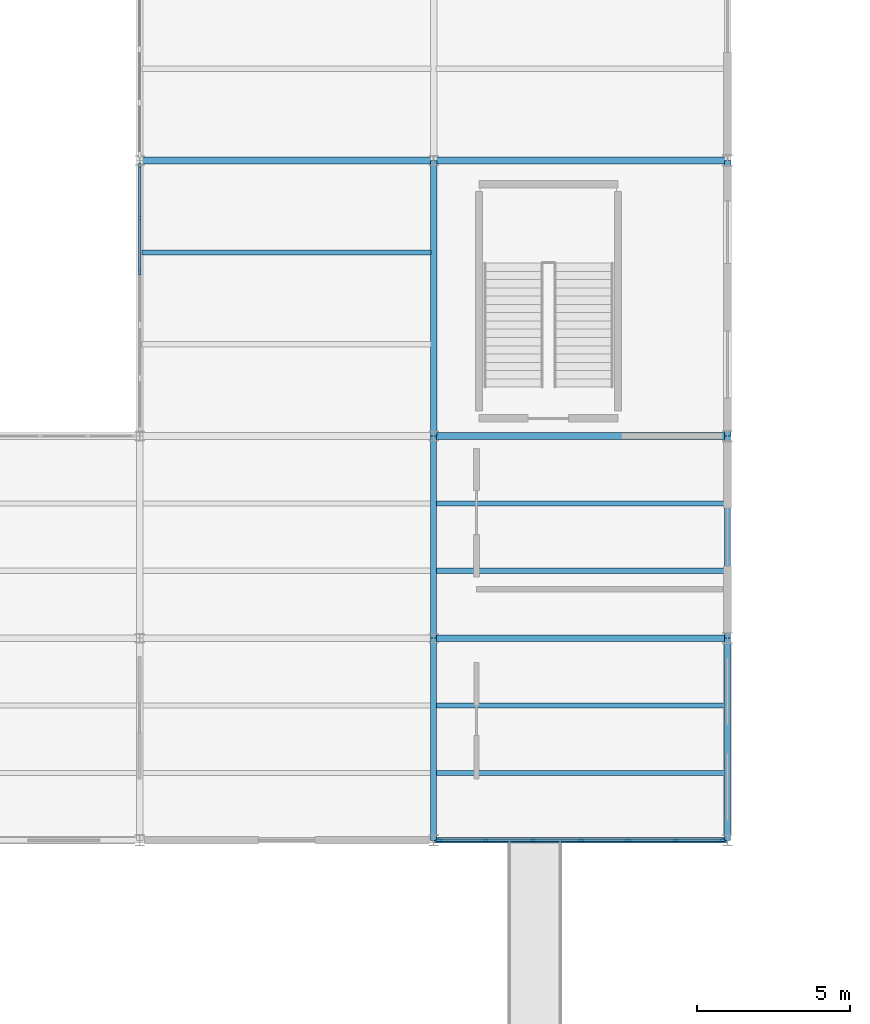
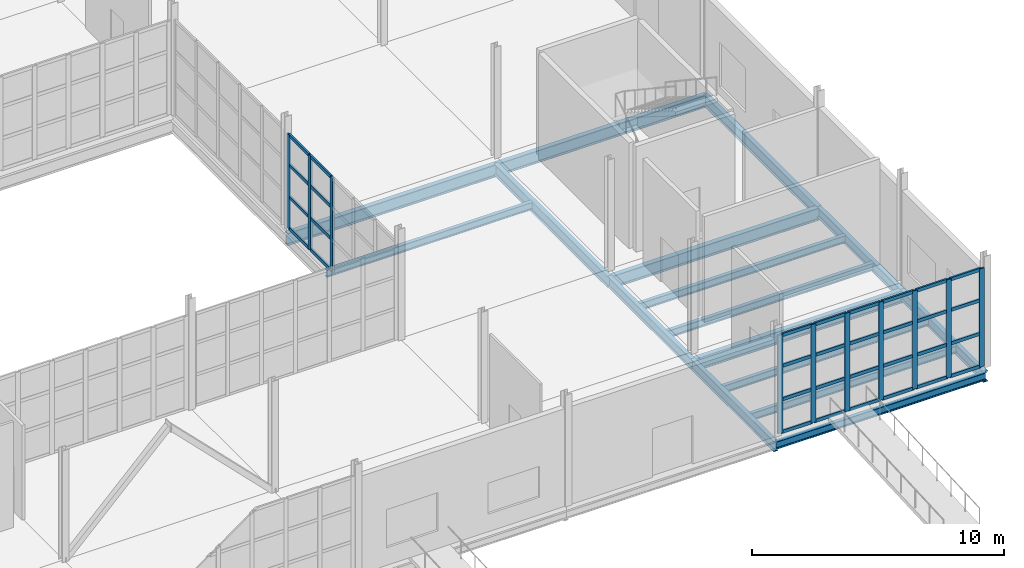
# One storey, part 37 of 85: 42 members, 16 beams, 2 elements without a shape of their own.
"""IFC4 building model written with IfcOpenShell, lengths in metres."""

from ifc_helpers import new_model, si_unit, direction, frame, origin, origin_2d, place, context, subcontext, project, spatial, rectangle, i_section, extrude, material, layer, layer_set, material_profile, profile_set, type_object, element, aggregate, save


model = new_model("IFC4")

# Units and contexts
model_context = context("Model", 3, precision=1e-05, world=origin(), true_north=direction((0.0, 1.0)))
body_context = subcontext(model_context, "Body", "Model", "MODEL_VIEW")
ifc_project = project(units=[si_unit("LENGTHUNIT", "METRE"), si_unit("AREAUNIT", "SQUARE_METRE"), si_unit("VOLUMEUNIT", "CUBIC_METRE"), si_unit("PLANEANGLEUNIT", "RADIAN"), si_unit("MASSUNIT", "GRAM", prefix="KILO")], contexts=[model_context])

# Site, building, storey
site_placement = place(None, origin())
site = spatial("IfcSite", under=ifc_project, at=site_placement, CompositionType="ELEMENT")
building_placement = place(site_placement, origin())
building = spatial("IfcBuilding", under=site, at=building_placement, Name="Zarnetskaya Central Station", CompositionType="ELEMENT")
storey_placement = place(building_placement, origin())
storey = spatial("IfcBuildingStorey", under=building, at=storey_placement, Name="L00", CompositionType="ELEMENT", Elevation=0.0)

# Beams
ifc_material_1 = material(Name="Steel S355", Category="steel")
ifc_material_profile_1 = material_profile(ifc_material_1, i_section(OverallWidth=0.169921875, OverallDepth=0.360107421875, WebThickness=0.008056640625, FlangeThickness=0.0126953125, FilletRadius=0.01806640625, at=origin_2d()), Name="IPE 360")
ifc_profile_set_1 = profile_set([ifc_material_profile_1], Name="Steel S355")
beam_type_1 = type_object("IfcBeamType", Name="BM-SEC-360", PredefinedType="BEAM", material=ifc_profile_set_1)
beam_1_placement = place(storey_placement, frame((153.679931640625, 19.199951171875, -0.5), z_axis=(1.0, 0.0, 0.0), x_axis=(0.0, 1.0, 0.0)))
element("IfcBeam", 1, at=beam_1_placement, inside=storey, type_object=beam_type_1, Name="Secondary floor beam SEC-L00-Z32-ST-34-2", PredefinedType="BEAM", context=body_context, shape_type="SweptSolid", body=[
    extrude(i_section(OverallWidth=0.169921875, OverallDepth=0.360107421875, WebThickness=0.008056640625, FlangeThickness=0.0126953125, FilletRadius=0.01806640625, at=origin_2d()), origin(), (0.0, 0.0, 1.0), 9.440185546875),
])
for number, where, z_axis, x_axis, name in (
    (2, (163.280029296875, 2.199951171875, -0.5), (1.0, 0.0, 0.0), (0.0, 1.0, 0.0), "Secondary floor beam SEC-L00-Z32-TU-12-1"),
    (3, (163.280029296875, 4.39990234375, -0.5), (1.0, 0.0, 0.0), (0.0, 1.0, 0.0), "Secondary floor beam SEC-L00-Z32-TU-12-2"),
    (4, (163.280029296875, 8.800048828125, -0.5), (1.0, 0.0, 0.0), (0.0, 1.0, 0.0), "Secondary floor beam SEC-L00-Z32-TU-23-1"),
    (5, (163.280029296875, 11.0, -0.5), (1.0, 0.0, 0.0), (0.0, 1.0, 0.0), "Secondary floor beam SEC-L00-Z32-TU-23-2"),
):
    element("IfcBeam", number, at=place(storey_placement, frame(where, z_axis=z_axis, x_axis=x_axis)), inside=storey, type_object=beam_type_1, Name=name, PredefinedType="BEAM", context=body_context, shape_type="SweptSolid", body=[
        extrude(i_section(OverallWidth=0.169921875, OverallDepth=0.360107421875, WebThickness=0.008056640625, FlangeThickness=0.0126953125, FilletRadius=0.01806640625, at=origin_2d()), origin(), (0.0, 0.0, 1.0), 9.43994140625),
    ])
ifc_material_profile_2 = material_profile(ifc_material_1, i_section(OverallWidth=0.169921875, OverallDepth=0.360107421875, WebThickness=0.008056640625, FlangeThickness=0.0126953125, FilletRadius=0.01806640625, at=origin_2d()), Name="IPE 360")
ifc_profile_set_2 = profile_set([ifc_material_profile_2], Name="Steel S355")
beam_type_2 = type_object("IfcBeamType", Name="BM-SPN-V4", PredefinedType="SPANDREL", material=ifc_profile_set_2)
beam_2_placement = place(storey_placement, frame((163.199951171875, 0.0, -0.5), z_axis=(1.0, 0.0, 0.0), x_axis=(0.0, 1.0, 0.0)))
element("IfcBeam", 6, at=beam_2_placement, inside=storey, type_object=beam_type_2, Name="Grid girder GX-L00-1-TU", PredefinedType="SPANDREL", context=body_context, shape_type="SweptSolid", body=[
    extrude(i_section(OverallWidth=0.169921875, OverallDepth=0.360107421875, WebThickness=0.008056640625, FlangeThickness=0.0126953125, FilletRadius=0.01806640625, at=origin_2d()), origin(), (0.0, 0.0, 1.0), 9.60009765625),
])

# Curtain wall, members
ifc_material_2 = material(Name="Low-E insulated glass", Category="glass")
ifc_layer = layer(ifc_material_2, 0.172119140625, Name="Low-E insulated glass", Category="glass")
ifc_layer_set = layer_set([ifc_layer], Name="Low-E insulated glass")
curtain_wall_type = type_object("IfcCurtainWallType", Name="CW-SYS-04", PredefinedType="USERDEFINED", material=ifc_layer_set)
curtain_wall_1_placement = place(storey_placement, origin())
curtain_wall_1 = element("IfcCurtainWall", 7, at=curtain_wall_1_placement, inside=storey, type_object=curtain_wall_type, Name="Curtain wall CW-L00-100", ObjectType="CURTAIN WALL", PredefinedType="USERDEFINED")
ifc_material_3 = material(Name="Anodised aluminium", Category="aluminium")
ifc_material_profile_3 = material_profile(ifc_material_3, rectangle(XDim=0.080078125, YDim=0.219970703125, at=origin_2d()), Name="ALU MULL 80x220")
ifc_profile_set_3 = profile_set([ifc_material_profile_3], Name="Anodised aluminium")
member_type_1 = type_object("IfcMemberType", Name="CW-MULL-220", PredefinedType="MULLION", material=ifc_profile_set_3)
member_1_placement = place(storey_placement, frame((172.610107421875, 0.0, 0.0), z_axis=(0.0, 0.0, 1.0), x_axis=(0.0, -1.0, 0.0)))
member_1 = element("IfcMember", 8, at=member_1_placement, type_object=member_type_1, Name="CW-15 mullion 1", PredefinedType="MULLION", context=body_context, shape_type="SweptSolid", body=[
    extrude(rectangle(XDim=0.080078125, YDim=0.219970703125, at=origin_2d()), origin(), (0.0, 0.0, 1.0), 4.760009765625),
])
member_2_placement = place(storey_placement, frame((171.10009765625, 0.0, 0.0), z_axis=(0.0, 0.0, 1.0), x_axis=(0.0, -1.0, 0.0)))
member_2 = element("IfcMember", 9, at=member_2_placement, type_object=member_type_1, Name="CW-15 mullion 2", PredefinedType="MULLION", context=body_context, shape_type="SweptSolid", body=[
    extrude(rectangle(XDim=0.080078125, YDim=0.219970703125, at=origin_2d()), origin(), (0.0, 0.0, 1.0), 4.760009765625),
])
member_3_placement = place(storey_placement, frame((169.550048828125, 0.0, 0.0), z_axis=(0.0, 0.0, 1.0), x_axis=(0.0, -1.0, 0.0)))
member_3 = element("IfcMember", 10, at=member_3_placement, type_object=member_type_1, Name="CW-15 mullion 3", PredefinedType="MULLION", context=body_context, shape_type="SweptSolid", body=[
    extrude(rectangle(XDim=0.080078125, YDim=0.219970703125, at=origin_2d()), origin(), (0.0, 0.0, 1.0), 4.760009765625),
])
member_4_placement = place(storey_placement, frame((168.0, 0.0, 0.0), z_axis=(0.0, 0.0, 1.0), x_axis=(0.0, -1.0, 0.0)))
member_4 = element("IfcMember", 11, at=member_4_placement, type_object=member_type_1, Name="CW-15 mullion 4", PredefinedType="MULLION", context=body_context, shape_type="SweptSolid", body=[
    extrude(rectangle(XDim=0.080078125, YDim=0.219970703125, at=origin_2d()), origin(), (0.0, 0.0, 1.0), 4.760009765625),
])
member_5_placement = place(storey_placement, frame((166.449951171875, 0.0, 0.0), z_axis=(0.0, 0.0, 1.0), x_axis=(0.0, -1.0, 0.0)))
member_5 = element("IfcMember", 12, at=member_5_placement, type_object=member_type_1, Name="CW-15 mullion 5", PredefinedType="MULLION", context=body_context, shape_type="SweptSolid", body=[
    extrude(rectangle(XDim=0.080078125, YDim=0.219970703125, at=origin_2d()), origin(), (0.0, 0.0, 1.0), 4.760009765625),
])
member_6_placement = place(storey_placement, frame((164.89990234375, 0.0, 0.0), z_axis=(0.0, 0.0, 1.0), x_axis=(0.0, -1.0, 0.0)))
member_6 = element("IfcMember", 13, at=member_6_placement, type_object=member_type_1, Name="CW-15 mullion 6", PredefinedType="MULLION", context=body_context, shape_type="SweptSolid", body=[
    extrude(rectangle(XDim=0.080078125, YDim=0.219970703125, at=origin_2d()), origin(), (0.0, 0.0, 1.0), 4.760009765625),
])
member_7_placement = place(storey_placement, frame((163.389892578125, 0.0, 0.0), z_axis=(0.0, 0.0, 1.0), x_axis=(0.0, -1.0, 0.0)))
member_7 = element("IfcMember", 14, at=member_7_placement, type_object=member_type_1, Name="CW-15 mullion 7", PredefinedType="MULLION", context=body_context, shape_type="SweptSolid", body=[
    extrude(rectangle(XDim=0.080078125, YDim=0.219970703125, at=origin_2d()), origin(), (0.0, 0.0, 1.0), 4.760009765625),
])

curtain_wall_2_placement = place(storey_placement, origin())
curtain_wall_2 = element("IfcCurtainWall", 15, at=curtain_wall_2_placement, inside=storey, type_object=curtain_wall_type, Name="Curtain wall CW-L00-104", ObjectType="CURTAIN WALL", PredefinedType="USERDEFINED")
member_8_placement = place(storey_placement, frame((153.60009765625, 18.570068359375, 0.0), z_axis=(0.0, 0.0, 1.0), x_axis=(-1.0, 0.0, 0.0)))
member_8 = element("IfcMember", 16, at=member_8_placement, type_object=member_type_1, Name="CW-15 mullion 4", PredefinedType="MULLION", context=body_context, shape_type="SweptSolid", body=[
    extrude(rectangle(XDim=0.080078125, YDim=0.219970703125, at=origin_2d()), origin(), (0.0, 0.0, 1.0), 4.570068359375),
])
member_9_placement = place(storey_placement, frame((153.60009765625, 20.31005859375, 0.0), z_axis=(0.0, 0.0, 1.0), x_axis=(-1.0, 0.0, 0.0)))
member_9 = element("IfcMember", 17, at=member_9_placement, type_object=member_type_1, Name="CW-15 mullion 5", PredefinedType="MULLION", context=body_context, shape_type="SweptSolid", body=[
    extrude(rectangle(XDim=0.080078125, YDim=0.219970703125, at=origin_2d()), origin(), (0.0, 0.0, 1.0), 4.570068359375),
])
member_10_placement = place(storey_placement, frame((153.60009765625, 22.010009765625, 0.0), z_axis=(0.0, 0.0, 1.0), x_axis=(-1.0, 0.0, 0.0)))
member_10 = element("IfcMember", 18, at=member_10_placement, type_object=member_type_1, Name="CW-15 mullion 6", PredefinedType="MULLION", context=body_context, shape_type="SweptSolid", body=[
    extrude(rectangle(XDim=0.080078125, YDim=0.219970703125, at=origin_2d()), origin(), (0.0, 0.0, 1.0), 4.570068359375),
])

# Member
ifc_material_profile_4 = material_profile(ifc_material_3, rectangle(XDim=0.080078125, YDim=0.159912109375, at=origin_2d()), Name="ALU TRAN 80x160")
ifc_profile_set_4 = profile_set([ifc_material_profile_4], Name="Anodised aluminium")
member_type_2 = type_object("IfcMemberType", Name="CW-TRAN-160", PredefinedType="USERDEFINED", material=ifc_profile_set_4)
member_11_placement = place(storey_placement, frame((172.570068359375, 0.0, 0.0400390625), z_axis=(-1.0, 0.0, 0.0), x_axis=(0.0, -1.0, 0.0)))
member_11 = element("IfcMember", 19, at=member_11_placement, type_object=member_type_2, Name="CW-15 transom 1.1", ObjectType="TRANSOM", PredefinedType="USERDEFINED", context=body_context, shape_type="SweptSolid", body=[
    extrude(rectangle(XDim=0.080078125, YDim=0.159912109375, at=origin_2d()), origin(), (0.0, 0.0, 1.0), 1.43017578125),
])

member_12_placement = place(storey_placement, frame((172.570068359375, 0.0, 1.617919921875), z_axis=(-1.0, 0.0, 0.0), x_axis=(0.0, -1.0, 0.0)))
member_12 = element("IfcMember", 20, at=member_12_placement, type_object=member_type_2, Name="CW-15 transom 1.2", ObjectType="TRANSOM", PredefinedType="USERDEFINED", context=body_context, shape_type="SweptSolid", body=[
    extrude(rectangle(XDim=0.080078125, YDim=0.159912109375, at=origin_2d()), origin(), (0.0, 0.0, 1.0), 1.43017578125),
])

member_13_placement = place(storey_placement, frame((172.570068359375, 0.0, 3.237060546875), z_axis=(-1.0, 0.0, 0.0), x_axis=(0.0, -1.0, 0.0)))
member_13 = element("IfcMember", 21, at=member_13_placement, type_object=member_type_2, Name="CW-15 transom 1.3", ObjectType="TRANSOM", PredefinedType="USERDEFINED", context=body_context, shape_type="SweptSolid", body=[
    extrude(rectangle(XDim=0.080078125, YDim=0.159912109375, at=origin_2d()), origin(), (0.0, 0.0, 1.0), 1.43017578125),
])

member_14_placement = place(storey_placement, frame((172.570068359375, 0.0, 4.719970703125), z_axis=(-1.0, 0.0, 0.0), x_axis=(0.0, -1.0, 0.0)))
member_14 = element("IfcMember", 22, at=member_14_placement, type_object=member_type_2, Name="CW-15 transom 1.4", ObjectType="TRANSOM", PredefinedType="USERDEFINED", context=body_context, shape_type="SweptSolid", body=[
    extrude(rectangle(XDim=0.080078125, YDim=0.159912109375, at=origin_2d()), origin(), (0.0, 0.0, 1.0), 1.43017578125),
])

member_15_placement = place(storey_placement, frame((171.06005859375, 0.0, 0.0400390625), z_axis=(-1.0, 0.0, 0.0), x_axis=(0.0, -1.0, 0.0)))
member_15 = element("IfcMember", 23, at=member_15_placement, type_object=member_type_2, Name="CW-15 transom 2.1", ObjectType="TRANSOM", PredefinedType="USERDEFINED", context=body_context, shape_type="SweptSolid", body=[
    extrude(rectangle(XDim=0.080078125, YDim=0.159912109375, at=origin_2d()), origin(), (0.0, 0.0, 1.0), 1.469970703125),
])

member_16_placement = place(storey_placement, frame((171.06005859375, 0.0, 1.617919921875), z_axis=(-1.0, 0.0, 0.0), x_axis=(0.0, -1.0, 0.0)))
member_16 = element("IfcMember", 24, at=member_16_placement, type_object=member_type_2, Name="CW-15 transom 2.2", ObjectType="TRANSOM", PredefinedType="USERDEFINED", context=body_context, shape_type="SweptSolid", body=[
    extrude(rectangle(XDim=0.080078125, YDim=0.159912109375, at=origin_2d()), origin(), (0.0, 0.0, 1.0), 1.469970703125),
])

member_17_placement = place(storey_placement, frame((171.06005859375, 0.0, 3.237060546875), z_axis=(-1.0, 0.0, 0.0), x_axis=(0.0, -1.0, 0.0)))
member_17 = element("IfcMember", 25, at=member_17_placement, type_object=member_type_2, Name="CW-15 transom 2.3", ObjectType="TRANSOM", PredefinedType="USERDEFINED", context=body_context, shape_type="SweptSolid", body=[
    extrude(rectangle(XDim=0.080078125, YDim=0.159912109375, at=origin_2d()), origin(), (0.0, 0.0, 1.0), 1.469970703125),
])

member_18_placement = place(storey_placement, frame((171.06005859375, 0.0, 4.719970703125), z_axis=(-1.0, 0.0, 0.0), x_axis=(0.0, -1.0, 0.0)))
member_18 = element("IfcMember", 26, at=member_18_placement, type_object=member_type_2, Name="CW-15 transom 2.4", ObjectType="TRANSOM", PredefinedType="USERDEFINED", context=body_context, shape_type="SweptSolid", body=[
    extrude(rectangle(XDim=0.080078125, YDim=0.159912109375, at=origin_2d()), origin(), (0.0, 0.0, 1.0), 1.469970703125),
])

member_19_placement = place(storey_placement, frame((169.510009765625, 0.0, 0.0400390625), z_axis=(-1.0, 0.0, 0.0), x_axis=(0.0, -1.0, 0.0)))
member_19 = element("IfcMember", 27, at=member_19_placement, type_object=member_type_2, Name="CW-15 transom 3.1", ObjectType="TRANSOM", PredefinedType="USERDEFINED", context=body_context, shape_type="SweptSolid", body=[
    extrude(rectangle(XDim=0.080078125, YDim=0.159912109375, at=origin_2d()), origin(), (0.0, 0.0, 1.0), 1.469970703125),
])

member_20_placement = place(storey_placement, frame((169.510009765625, 0.0, 1.617919921875), z_axis=(-1.0, 0.0, 0.0), x_axis=(0.0, -1.0, 0.0)))
member_20 = element("IfcMember", 28, at=member_20_placement, type_object=member_type_2, Name="CW-15 transom 3.2", ObjectType="TRANSOM", PredefinedType="USERDEFINED", context=body_context, shape_type="SweptSolid", body=[
    extrude(rectangle(XDim=0.080078125, YDim=0.159912109375, at=origin_2d()), origin(), (0.0, 0.0, 1.0), 1.469970703125),
])

member_21_placement = place(storey_placement, frame((169.510009765625, 0.0, 3.237060546875), z_axis=(-1.0, 0.0, 0.0), x_axis=(0.0, -1.0, 0.0)))
member_21 = element("IfcMember", 29, at=member_21_placement, type_object=member_type_2, Name="CW-15 transom 3.3", ObjectType="TRANSOM", PredefinedType="USERDEFINED", context=body_context, shape_type="SweptSolid", body=[
    extrude(rectangle(XDim=0.080078125, YDim=0.159912109375, at=origin_2d()), origin(), (0.0, 0.0, 1.0), 1.469970703125),
])

member_22_placement = place(storey_placement, frame((169.510009765625, 0.0, 4.719970703125), z_axis=(-1.0, 0.0, 0.0), x_axis=(0.0, -1.0, 0.0)))
member_22 = element("IfcMember", 30, at=member_22_placement, type_object=member_type_2, Name="CW-15 transom 3.4", ObjectType="TRANSOM", PredefinedType="USERDEFINED", context=body_context, shape_type="SweptSolid", body=[
    extrude(rectangle(XDim=0.080078125, YDim=0.159912109375, at=origin_2d()), origin(), (0.0, 0.0, 1.0), 1.469970703125),
])

member_23_placement = place(storey_placement, frame((167.9599609375, 0.0, 0.0400390625), z_axis=(-1.0, 0.0, 0.0), x_axis=(0.0, -1.0, 0.0)))
member_23 = element("IfcMember", 31, at=member_23_placement, type_object=member_type_2, Name="CW-15 transom 4.1", ObjectType="TRANSOM", PredefinedType="USERDEFINED", context=body_context, shape_type="SweptSolid", body=[
    extrude(rectangle(XDim=0.080078125, YDim=0.159912109375, at=origin_2d()), origin(), (0.0, 0.0, 1.0), 1.469970703125),
])

member_24_placement = place(storey_placement, frame((167.9599609375, 0.0, 1.617919921875), z_axis=(-1.0, 0.0, 0.0), x_axis=(0.0, -1.0, 0.0)))
member_24 = element("IfcMember", 32, at=member_24_placement, type_object=member_type_2, Name="CW-15 transom 4.2", ObjectType="TRANSOM", PredefinedType="USERDEFINED", context=body_context, shape_type="SweptSolid", body=[
    extrude(rectangle(XDim=0.080078125, YDim=0.159912109375, at=origin_2d()), origin(), (0.0, 0.0, 1.0), 1.469970703125),
])

member_25_placement = place(storey_placement, frame((167.9599609375, 0.0, 3.237060546875), z_axis=(-1.0, 0.0, 0.0), x_axis=(0.0, -1.0, 0.0)))
member_25 = element("IfcMember", 33, at=member_25_placement, type_object=member_type_2, Name="CW-15 transom 4.3", ObjectType="TRANSOM", PredefinedType="USERDEFINED", context=body_context, shape_type="SweptSolid", body=[
    extrude(rectangle(XDim=0.080078125, YDim=0.159912109375, at=origin_2d()), origin(), (0.0, 0.0, 1.0), 1.469970703125),
])

member_26_placement = place(storey_placement, frame((167.9599609375, 0.0, 4.719970703125), z_axis=(-1.0, 0.0, 0.0), x_axis=(0.0, -1.0, 0.0)))
member_26 = element("IfcMember", 34, at=member_26_placement, type_object=member_type_2, Name="CW-15 transom 4.4", ObjectType="TRANSOM", PredefinedType="USERDEFINED", context=body_context, shape_type="SweptSolid", body=[
    extrude(rectangle(XDim=0.080078125, YDim=0.159912109375, at=origin_2d()), origin(), (0.0, 0.0, 1.0), 1.469970703125),
])

member_27_placement = place(storey_placement, frame((166.409912109375, 0.0, 0.0400390625), z_axis=(-1.0, 0.0, 0.0), x_axis=(0.0, -1.0, 0.0)))
member_27 = element("IfcMember", 35, at=member_27_placement, type_object=member_type_2, Name="CW-15 transom 5.1", ObjectType="TRANSOM", PredefinedType="USERDEFINED", context=body_context, shape_type="SweptSolid", body=[
    extrude(rectangle(XDim=0.080078125, YDim=0.159912109375, at=origin_2d()), origin(), (0.0, 0.0, 1.0), 1.469970703125),
])

member_28_placement = place(storey_placement, frame((166.409912109375, 0.0, 1.617919921875), z_axis=(-1.0, 0.0, 0.0), x_axis=(0.0, -1.0, 0.0)))
member_28 = element("IfcMember", 36, at=member_28_placement, type_object=member_type_2, Name="CW-15 transom 5.2", ObjectType="TRANSOM", PredefinedType="USERDEFINED", context=body_context, shape_type="SweptSolid", body=[
    extrude(rectangle(XDim=0.080078125, YDim=0.159912109375, at=origin_2d()), origin(), (0.0, 0.0, 1.0), 1.469970703125),
])

member_29_placement = place(storey_placement, frame((166.409912109375, 0.0, 3.237060546875), z_axis=(-1.0, 0.0, 0.0), x_axis=(0.0, -1.0, 0.0)))
member_29 = element("IfcMember", 37, at=member_29_placement, type_object=member_type_2, Name="CW-15 transom 5.3", ObjectType="TRANSOM", PredefinedType="USERDEFINED", context=body_context, shape_type="SweptSolid", body=[
    extrude(rectangle(XDim=0.080078125, YDim=0.159912109375, at=origin_2d()), origin(), (0.0, 0.0, 1.0), 1.469970703125),
])

member_30_placement = place(storey_placement, frame((166.409912109375, 0.0, 4.719970703125), z_axis=(-1.0, 0.0, 0.0), x_axis=(0.0, -1.0, 0.0)))
member_30 = element("IfcMember", 38, at=member_30_placement, type_object=member_type_2, Name="CW-15 transom 5.4", ObjectType="TRANSOM", PredefinedType="USERDEFINED", context=body_context, shape_type="SweptSolid", body=[
    extrude(rectangle(XDim=0.080078125, YDim=0.159912109375, at=origin_2d()), origin(), (0.0, 0.0, 1.0), 1.469970703125),
])

member_31_placement = place(storey_placement, frame((164.860107421875, 0.0, 0.0400390625), z_axis=(-1.0, 0.0, 0.0), x_axis=(0.0, -1.0, 0.0)))
member_31 = element("IfcMember", 39, at=member_31_placement, type_object=member_type_2, Name="CW-15 transom 6.1", ObjectType="TRANSOM", PredefinedType="USERDEFINED", context=body_context, shape_type="SweptSolid", body=[
    extrude(rectangle(XDim=0.080078125, YDim=0.159912109375, at=origin_2d()), origin(), (0.0, 0.0, 1.0), 1.43017578125),
])

member_32_placement = place(storey_placement, frame((164.860107421875, 0.0, 1.617919921875), z_axis=(-1.0, 0.0, 0.0), x_axis=(0.0, -1.0, 0.0)))
member_32 = element("IfcMember", 40, at=member_32_placement, type_object=member_type_2, Name="CW-15 transom 6.2", ObjectType="TRANSOM", PredefinedType="USERDEFINED", context=body_context, shape_type="SweptSolid", body=[
    extrude(rectangle(XDim=0.080078125, YDim=0.159912109375, at=origin_2d()), origin(), (0.0, 0.0, 1.0), 1.43017578125),
])

member_33_placement = place(storey_placement, frame((164.860107421875, 0.0, 3.237060546875), z_axis=(-1.0, 0.0, 0.0), x_axis=(0.0, -1.0, 0.0)))
member_33 = element("IfcMember", 41, at=member_33_placement, type_object=member_type_2, Name="CW-15 transom 6.3", ObjectType="TRANSOM", PredefinedType="USERDEFINED", context=body_context, shape_type="SweptSolid", body=[
    extrude(rectangle(XDim=0.080078125, YDim=0.159912109375, at=origin_2d()), origin(), (0.0, 0.0, 1.0), 1.43017578125),
])

member_34_placement = place(storey_placement, frame((164.860107421875, 0.0, 4.719970703125), z_axis=(-1.0, 0.0, 0.0), x_axis=(0.0, -1.0, 0.0)))
member_34 = element("IfcMember", 42, at=member_34_placement, type_object=member_type_2, Name="CW-15 transom 6.4", ObjectType="TRANSOM", PredefinedType="USERDEFINED", context=body_context, shape_type="SweptSolid", body=[
    extrude(rectangle(XDim=0.080078125, YDim=0.159912109375, at=origin_2d()), origin(), (0.0, 0.0, 1.0), 1.43017578125),
])

aggregate(curtain_wall_1, [member_1, member_2, member_3, member_4, member_5, member_6, member_7, member_11, member_12, member_13, member_14, member_15, member_16, member_17, member_18, member_19, member_20, member_21, member_22, member_23, member_24, member_25, member_26, member_27, member_28, member_29, member_30, member_31, member_32, member_33, member_34])

member_35_placement = place(storey_placement, frame((153.60009765625, 18.610107421875, 0.0400390625), z_axis=(0.0, 1.0, 0.0), x_axis=(-1.0, 0.0, 0.0)))
member_35 = element("IfcMember", 43, at=member_35_placement, type_object=member_type_2, Name="CW-15 transom 4.1", ObjectType="TRANSOM", PredefinedType="USERDEFINED", context=body_context, shape_type="SweptSolid", body=[
    extrude(rectangle(XDim=0.080078125, YDim=0.159912109375, at=origin_2d()), origin(), (0.0, 0.0, 1.0), 1.659912109375),
])

member_36_placement = place(storey_placement, frame((153.60009765625, 18.610107421875, 1.553955078125), z_axis=(0.0, 1.0, 0.0), x_axis=(-1.0, 0.0, 0.0)))
member_36 = element("IfcMember", 44, at=member_36_placement, type_object=member_type_2, Name="CW-15 transom 4.2", ObjectType="TRANSOM", PredefinedType="USERDEFINED", context=body_context, shape_type="SweptSolid", body=[
    extrude(rectangle(XDim=0.080078125, YDim=0.159912109375, at=origin_2d()), origin(), (0.0, 0.0, 1.0), 1.659912109375),
])

member_37_placement = place(storey_placement, frame((153.60009765625, 18.610107421875, 3.10791015625), z_axis=(0.0, 1.0, 0.0), x_axis=(-1.0, 0.0, 0.0)))
member_37 = element("IfcMember", 45, at=member_37_placement, type_object=member_type_2, Name="CW-15 transom 4.3", ObjectType="TRANSOM", PredefinedType="USERDEFINED", context=body_context, shape_type="SweptSolid", body=[
    extrude(rectangle(XDim=0.080078125, YDim=0.159912109375, at=origin_2d()), origin(), (0.0, 0.0, 1.0), 1.659912109375),
])

member_38_placement = place(storey_placement, frame((153.60009765625, 18.610107421875, 4.530029296875), z_axis=(0.0, 1.0, 0.0), x_axis=(-1.0, 0.0, 0.0)))
member_38 = element("IfcMember", 46, at=member_38_placement, type_object=member_type_2, Name="CW-15 transom 4.4", ObjectType="TRANSOM", PredefinedType="USERDEFINED", context=body_context, shape_type="SweptSolid", body=[
    extrude(rectangle(XDim=0.080078125, YDim=0.159912109375, at=origin_2d()), origin(), (0.0, 0.0, 1.0), 1.659912109375),
])

member_39_placement = place(storey_placement, frame((153.60009765625, 20.35009765625, 0.0400390625), z_axis=(0.0, 1.0, 0.0), x_axis=(-1.0, 0.0, 0.0)))
member_39 = element("IfcMember", 47, at=member_39_placement, type_object=member_type_2, Name="CW-15 transom 5.1", ObjectType="TRANSOM", PredefinedType="USERDEFINED", context=body_context, shape_type="SweptSolid", body=[
    extrude(rectangle(XDim=0.080078125, YDim=0.159912109375, at=origin_2d()), origin(), (0.0, 0.0, 1.0), 1.619873046875),
])

member_40_placement = place(storey_placement, frame((153.60009765625, 20.35009765625, 1.553955078125), z_axis=(0.0, 1.0, 0.0), x_axis=(-1.0, 0.0, 0.0)))
member_40 = element("IfcMember", 48, at=member_40_placement, type_object=member_type_2, Name="CW-15 transom 5.2", ObjectType="TRANSOM", PredefinedType="USERDEFINED", context=body_context, shape_type="SweptSolid", body=[
    extrude(rectangle(XDim=0.080078125, YDim=0.159912109375, at=origin_2d()), origin(), (0.0, 0.0, 1.0), 1.619873046875),
])

member_41_placement = place(storey_placement, frame((153.60009765625, 20.35009765625, 3.10791015625), z_axis=(0.0, 1.0, 0.0), x_axis=(-1.0, 0.0, 0.0)))
member_41 = element("IfcMember", 49, at=member_41_placement, type_object=member_type_2, Name="CW-15 transom 5.3", ObjectType="TRANSOM", PredefinedType="USERDEFINED", context=body_context, shape_type="SweptSolid", body=[
    extrude(rectangle(XDim=0.080078125, YDim=0.159912109375, at=origin_2d()), origin(), (0.0, 0.0, 1.0), 1.619873046875),
])

member_42_placement = place(storey_placement, frame((153.60009765625, 20.35009765625, 4.530029296875), z_axis=(0.0, 1.0, 0.0), x_axis=(-1.0, 0.0, 0.0)))
member_42 = element("IfcMember", 50, at=member_42_placement, type_object=member_type_2, Name="CW-15 transom 5.4", ObjectType="TRANSOM", PredefinedType="USERDEFINED", context=body_context, shape_type="SweptSolid", body=[
    extrude(rectangle(XDim=0.080078125, YDim=0.159912109375, at=origin_2d()), origin(), (0.0, 0.0, 1.0), 1.619873046875),
])

aggregate(curtain_wall_2, [member_8, member_9, member_10, member_35, member_36, member_37, member_38, member_39, member_40, member_41, member_42])

# Beams
ifc_material_profile_5 = material_profile(ifc_material_1, i_section(OverallWidth=0.199951171875, OverallDepth=0.5, WebThickness=0.01025390625, FlangeThickness=0.01611328125, FilletRadius=0.02099609375, at=origin_2d()), Name="IPE 500")
ifc_profile_set_5 = profile_set([ifc_material_profile_5], Name="Steel S355")
beam_type_3 = type_object("IfcBeamType", Name="GD-FLR-500", PredefinedType="USERDEFINED", material=ifc_profile_set_5)
beam_3_placement = place(storey_placement, frame((163.199951171875, 0.0, -0.570068359375), z_axis=(0.0, 1.0, 0.0), x_axis=(-1.0, 0.0, 0.0)))
element("IfcBeam", 51, at=beam_3_placement, inside=storey, type_object=beam_type_3, Name="Grid girder GY-L00-T-12", ObjectType="GIRDER", PredefinedType="USERDEFINED", context=body_context, shape_type="SweptSolid", body=[
    extrude(i_section(OverallWidth=0.199951171875, OverallDepth=0.5, WebThickness=0.01025390625, FlangeThickness=0.01611328125, FilletRadius=0.02099609375, at=origin_2d()), origin(), (0.0, 0.0, 1.0), 6.60009765625),
])
beam_4_placement = place(storey_placement, frame((163.199951171875, 6.60009765625, -0.570068359375), z_axis=(0.0, 1.0, 0.0), x_axis=(-1.0, 0.0, 0.0)))
element("IfcBeam", 52, at=beam_4_placement, inside=storey, type_object=beam_type_3, Name="Grid girder GY-L00-T-23", ObjectType="GIRDER", PredefinedType="USERDEFINED", context=body_context, shape_type="SweptSolid", body=[
    extrude(i_section(OverallWidth=0.199951171875, OverallDepth=0.5, WebThickness=0.01025390625, FlangeThickness=0.01611328125, FilletRadius=0.02099609375, at=origin_2d()), origin(), (0.0, 0.0, 1.0), 6.599853515625),
])
beam_5_placement = place(storey_placement, frame((172.800048828125, 0.0, -0.570068359375), z_axis=(0.0, 1.0, 0.0), x_axis=(-1.0, 0.0, 0.0)))
element("IfcBeam", 53, at=beam_5_placement, inside=storey, type_object=beam_type_3, Name="Grid girder GY-L00-U-12", ObjectType="GIRDER", PredefinedType="USERDEFINED", context=body_context, shape_type="SweptSolid", body=[
    extrude(i_section(OverallWidth=0.199951171875, OverallDepth=0.5, WebThickness=0.01025390625, FlangeThickness=0.01611328125, FilletRadius=0.02099609375, at=origin_2d()), origin(), (0.0, 0.0, 1.0), 6.60009765625),
])
beam_6_placement = place(storey_placement, frame((172.800048828125, 6.60009765625, -0.570068359375), z_axis=(0.0, 1.0, 0.0), x_axis=(-1.0, 0.0, 0.0)))
element("IfcBeam", 54, at=beam_6_placement, inside=storey, type_object=beam_type_3, Name="Grid girder GY-L00-U-23", ObjectType="GIRDER", PredefinedType="USERDEFINED", context=body_context, shape_type="SweptSolid", body=[
    extrude(i_section(OverallWidth=0.199951171875, OverallDepth=0.5, WebThickness=0.01025390625, FlangeThickness=0.01611328125, FilletRadius=0.02099609375, at=origin_2d()), origin(), (0.0, 0.0, 1.0), 6.599853515625),
])
ifc_material_profile_6 = material_profile(ifc_material_1, i_section(OverallWidth=0.2099609375, OverallDepth=0.550048828125, WebThickness=0.010986328125, FlangeThickness=0.01708984375, FilletRadius=0.02392578125, at=origin_2d()), Name="IPE 550")
ifc_profile_set_6 = profile_set([ifc_material_profile_6], Name="Steel S355")
beam_type_4 = type_object("IfcBeamType", Name="GD-FLR-550", PredefinedType="USERDEFINED", material=ifc_profile_set_6)
for number, where, z_axis, x_axis, name in (
    (55, (163.199951171875, 13.199951171875, -0.594970703125), (0.0, 1.0, 0.0), (-1.0, 0.0, 0.0), "Grid girder GY-L00-T-34"),
    (56, (172.800048828125, 13.199951171875, -0.594970703125), (0.0, 1.0, 0.0), (-1.0, 0.0, 0.0), "Grid girder GY-L00-U-34"),
):
    element("IfcBeam", number, at=place(storey_placement, frame(where, z_axis=z_axis, x_axis=x_axis)), inside=storey, type_object=beam_type_4, Name=name, ObjectType="GIRDER", PredefinedType="USERDEFINED", context=body_context, shape_type="SweptSolid", body=[
        extrude(i_section(OverallWidth=0.2099609375, OverallDepth=0.550048828125, WebThickness=0.010986328125, FlangeThickness=0.01708984375, FilletRadius=0.02392578125, at=origin_2d()), origin(), (0.0, 0.0, 1.0), 9.0),
    ])
ifc_material_profile_7 = material_profile(ifc_material_1, i_section(OverallWidth=0.219970703125, OverallDepth=0.60009765625, WebThickness=0.011962890625, FlangeThickness=0.01904296875, FilletRadius=0.02392578125, at=origin_2d()), Name="IPE 600")
ifc_profile_set_7 = profile_set([ifc_material_profile_7], Name="Steel S355")
beam_type_5 = type_object("IfcBeamType", Name="GD-FLR-600", PredefinedType="USERDEFINED", material=ifc_profile_set_7)
beam_7_placement = place(storey_placement, frame((153.60009765625, 22.199951171875, -0.6201171875), z_axis=(1.0, 0.0, 0.0), x_axis=(0.0, 1.0, 0.0)))
element("IfcBeam", 57, at=beam_7_placement, inside=storey, type_object=beam_type_5, Name="Grid girder GX-L00-4-ST", ObjectType="GIRDER", PredefinedType="USERDEFINED", context=body_context, shape_type="SweptSolid", body=[
    extrude(i_section(OverallWidth=0.219970703125, OverallDepth=0.60009765625, WebThickness=0.011962890625, FlangeThickness=0.01904296875, FilletRadius=0.02392578125, at=origin_2d()), origin(), (0.0, 0.0, 1.0), 9.599853515625),
])
for number, where, z_axis, x_axis, name in (
    (58, (163.199951171875, 6.60009765625, -0.6201171875), (1.0, 0.0, 0.0), (0.0, 1.0, 0.0), "Grid girder GX-L00-2-TU"),
    (59, (163.199951171875, 13.199951171875, -0.6201171875), (1.0, 0.0, 0.0), (0.0, 1.0, 0.0), "Grid girder GX-L00-3-TU"),
    (60, (163.199951171875, 22.199951171875, -0.6201171875), (1.0, 0.0, 0.0), (0.0, 1.0, 0.0), "Grid girder GX-L00-4-TU"),
):
    element("IfcBeam", number, at=place(storey_placement, frame(where, z_axis=z_axis, x_axis=x_axis)), inside=storey, type_object=beam_type_5, Name=name, ObjectType="GIRDER", PredefinedType="USERDEFINED", context=body_context, shape_type="SweptSolid", body=[
        extrude(i_section(OverallWidth=0.219970703125, OverallDepth=0.60009765625, WebThickness=0.011962890625, FlangeThickness=0.01904296875, FilletRadius=0.02392578125, at=origin_2d()), origin(), (0.0, 0.0, 1.0), 9.60009765625),
    ])

save(model, "model.ifc")
